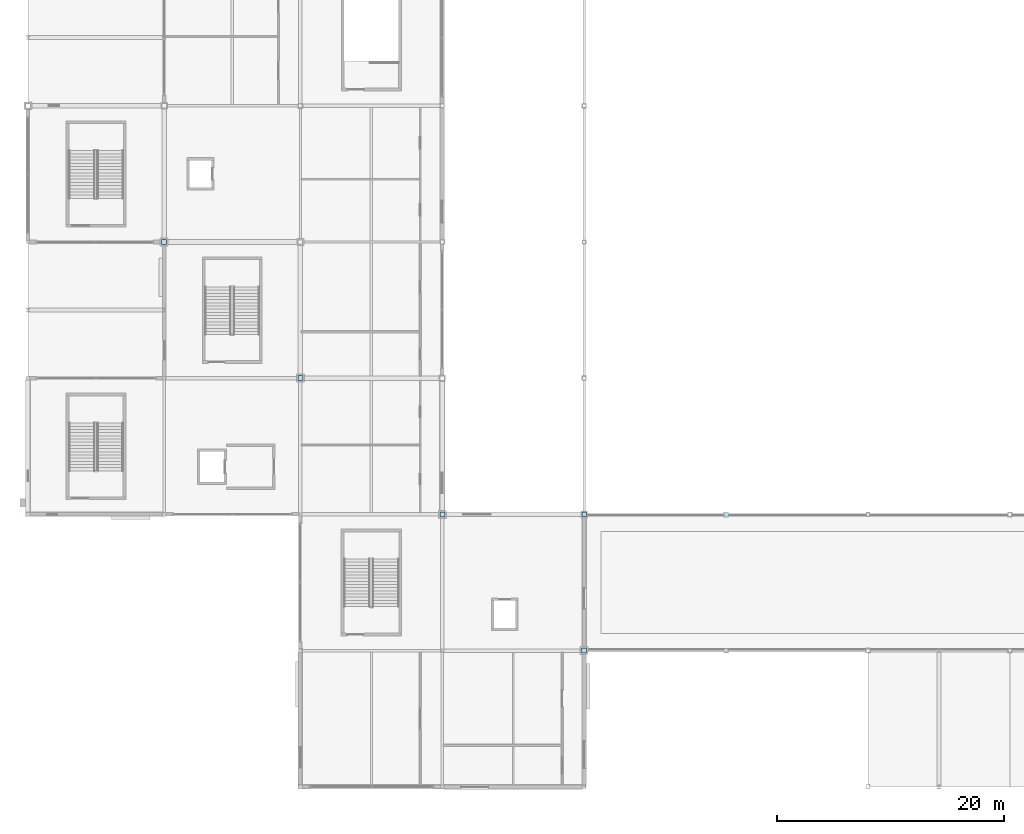
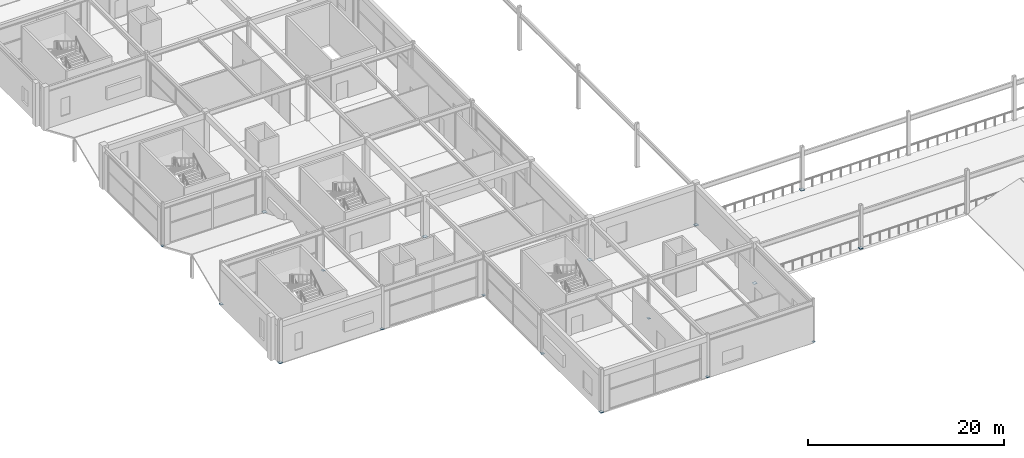
# One storey, part 61 of 105: 18 plates.
"""IFC4 building model written with IfcOpenShell, lengths in metres."""

from ifc_helpers import new_model, si_unit, direction, frame, origin, origin_2d, place, context, subcontext, project, spatial, rectangle, extrude, material, layer, layer_set, type_object, element, save


model = new_model("IFC4")

# Units and contexts
model_context = context("Model", 3, precision=1e-05, world=origin(), true_north=direction((0.0, 1.0)))
body_context = subcontext(model_context, "Body", "Model", "MODEL_VIEW")
ifc_project = project(units=[si_unit("LENGTHUNIT", "METRE"), si_unit("AREAUNIT", "SQUARE_METRE"), si_unit("VOLUMEUNIT", "CUBIC_METRE"), si_unit("PLANEANGLEUNIT", "RADIAN"), si_unit("MASSUNIT", "GRAM", prefix="KILO")], contexts=[model_context])

# Site, building, storey
site_placement = place(None, origin())
site = spatial("IfcSite", under=ifc_project, at=site_placement, CompositionType="ELEMENT")
building_placement = place(site_placement, origin())
building = spatial("IfcBuilding", under=site, at=building_placement, Name="Kazenohara Klinker Stadium", CompositionType="ELEMENT")
storey_placement = place(building_placement, frame((0.0, 0.0, 20.39990234375)))
storey = spatial("IfcBuildingStorey", under=building, at=storey_placement, Name="L04", CompositionType="ELEMENT", Elevation=20.39990234375)

# Plates
ifc_material = material(Name="Steel S355", Category="steel")
ifc_layer_1 = layer(ifc_material, 0.02001953125)
ifc_layer_set_1 = layer_set([ifc_layer_1], Name="Steel S355")
plate_type_1 = type_object("IfcPlateType", Name="PLT-GP01", PredefinedType="USERDEFINED", material=ifc_layer_set_1)
for number, where, z_axis, x_axis, name in (
    (1, (0.0, 48.0, -0.010009765625), (0.0, 0.0, 1.0), (1.0, 0.0, 0.0), "Hollow column end-cap plate GP01 L04 1/E"),
    (2, (12.0, 36.0, -0.010009765625), (0.0, 0.0, 1.0), (1.0, 0.0, 0.0), "Hollow column end-cap plate GP01 L04 2/D"),
    (3, (24.0, 24.0, -0.010009765625), (0.0, 0.0, 1.0), (1.0, 0.0, 0.0), "Hollow column end-cap plate GP01 L04 3/C"),
):
    element("IfcPlate", number, at=place(storey_placement, frame(where, z_axis=z_axis, x_axis=x_axis)), inside=storey, type_object=plate_type_1, Name=name, ObjectType="GUSSET PLATE", PredefinedType="USERDEFINED", context=body_context, shape_type="SweptSolid", body=[
        extrude(rectangle(XDim=0.340087890625, YDim=0.340087890625, at=origin_2d()), origin(), (0.0, 0.0, 1.0), 0.02001953125),
    ])
ifc_layer_2 = layer(ifc_material, 0.02197265625)
ifc_layer_set_2 = layer_set([ifc_layer_2], Name="Steel S355")
plate_type_2 = type_object("IfcPlateType", Name="PLT-GP02", PredefinedType="USERDEFINED", material=ifc_layer_set_2)
for number, where, z_axis, x_axis, name in (
    (4, (0.0, 36.0, -0.010986328125), (0.0, 0.0, 1.0), (1.0, 0.0, 0.0), "Hollow column end-cap plate GP02 L04 1/D"),
    (5, (24.0, 12.0, -0.010986328125), (0.0, 0.0, 1.0), (1.0, 0.0, 0.0), "Hollow column end-cap plate GP02 L04 3/B"),
    (6, (49.0, 36.0, -0.010986328125), (0.0, 0.0, 1.0), (1.0, 0.0, 0.0), "Hollow column end-cap plate GP02 L04 5/D"),
):
    element("IfcPlate", number, at=place(storey_placement, frame(where, z_axis=z_axis, x_axis=x_axis)), inside=storey, type_object=plate_type_2, Name=name, ObjectType="GUSSET PLATE", PredefinedType="USERDEFINED", context=body_context, shape_type="SweptSolid", body=[
        extrude(rectangle(XDim=0.389892578125, YDim=0.389892578125, at=origin_2d()), origin(), (0.0, 0.0, 1.0), 0.02197265625),
    ])
plate_1_placement = place(storey_placement, frame((61.5, 36.0, -0.010986328125), z_axis=(0.0, 0.0, 1.0), x_axis=(1.0, 0.0, 0.0)))
element("IfcPlate", 7, at=plate_1_placement, inside=storey, type_object=plate_type_2, Name="Hollow column end-cap plate GP02 L04 6/D", ObjectType="GUSSET PLATE", PredefinedType="USERDEFINED", context=body_context, shape_type="SweptSolid", body=[
    extrude(rectangle(XDim=0.43994140625, YDim=0.43994140625, at=origin_2d()), origin(), (0.0, 0.0, 1.0), 0.02197265625),
])
ifc_layer_3 = layer(ifc_material, 0.02392578125)
ifc_layer_set_3 = layer_set([ifc_layer_3], Name="Steel S355")
plate_type_3 = type_object("IfcPlateType", Name="PLT-GP03", PredefinedType="USERDEFINED", material=ifc_layer_set_3)
plate_2_placement = place(storey_placement, frame((36.5, 24.0, -0.011962890625), z_axis=(0.0, 0.0, 1.0), x_axis=(1.0, 0.0, 0.0)))
element("IfcPlate", 8, at=plate_2_placement, inside=storey, type_object=plate_type_3, Name="Hollow column end-cap plate GP03 L04 4/C", ObjectType="GUSSET PLATE", PredefinedType="USERDEFINED", context=body_context, shape_type="SweptSolid", body=[
    extrude(rectangle(XDim=0.2900390625, YDim=0.2900390625, at=origin_2d()), origin(), (0.0, 0.0, 1.0), 0.02392578125),
])
plate_3_placement = place(storey_placement, frame((36.5, 36.0, -0.011962890625), z_axis=(0.0, 0.0, 1.0), x_axis=(1.0, 0.0, 0.0)))
element("IfcPlate", 9, at=plate_3_placement, inside=storey, type_object=plate_type_3, Name="Hollow column end-cap plate GP03 L04 4/D", ObjectType="GUSSET PLATE", PredefinedType="USERDEFINED", context=body_context, shape_type="SweptSolid", body=[
    extrude(rectangle(XDim=0.43994140625, YDim=0.43994140625, at=origin_2d()), origin(), (0.0, 0.0, 1.0), 0.02392578125),
])
plate_4_placement = place(storey_placement, frame((61.5, 24.0, -0.011962890625), z_axis=(0.0, 0.0, 1.0), x_axis=(1.0, 0.0, 0.0)))
element("IfcPlate", 10, at=plate_4_placement, inside=storey, type_object=plate_type_3, Name="Hollow column end-cap plate GP03 L04 6/C", ObjectType="GUSSET PLATE", PredefinedType="USERDEFINED", context=body_context, shape_type="SweptSolid", body=[
    extrude(rectangle(XDim=0.389892578125, YDim=0.389892578125, at=origin_2d()), origin(), (0.0, 0.0, 1.0), 0.02392578125),
])
ifc_layer_4 = layer(ifc_material, 0.02490234375)
ifc_layer_set_4 = layer_set([ifc_layer_4], Name="Steel S355")
plate_type_4 = type_object("IfcPlateType", Name="PLT-GP04", PredefinedType="USERDEFINED", material=ifc_layer_set_4)
for number, where, z_axis, x_axis, name in (
    (11, (0.0, 60.0, -0.012451171875), (0.0, 0.0, 1.0), (1.0, 0.0, 0.0), "Hollow column end-cap plate GP04 L04 1/F"),
    (12, (12.0, 48.0, -0.012451171875), (0.0, 0.0, 1.0), (1.0, 0.0, 0.0), "Hollow column end-cap plate GP04 L04 2/E"),
):
    element("IfcPlate", number, at=place(storey_placement, frame(where, z_axis=z_axis, x_axis=x_axis)), inside=storey, type_object=plate_type_4, Name=name, ObjectType="GUSSET PLATE", PredefinedType="USERDEFINED", context=body_context, shape_type="SweptSolid", body=[
        extrude(rectangle(XDim=0.2900390625, YDim=0.2900390625, at=origin_2d()), origin(), (0.0, 0.0, 1.0), 0.02490234375),
    ])
plate_5_placement = place(storey_placement, frame((12.0, 60.0, -0.012451171875), z_axis=(0.0, 0.0, 1.0), x_axis=(1.0, 0.0, 0.0)))
element("IfcPlate", 13, at=plate_5_placement, inside=storey, type_object=plate_type_4, Name="Hollow column end-cap plate GP04 L04 2/F", ObjectType="GUSSET PLATE", PredefinedType="USERDEFINED", context=body_context, shape_type="SweptSolid", body=[
    extrude(rectangle(XDim=0.43994140625, YDim=0.43994140625, at=origin_2d()), origin(), (0.0, 0.0, 1.0), 0.02490234375),
])
plate_6_placement = place(storey_placement, frame((24.0, 36.0, -0.012451171875), z_axis=(0.0, 0.0, 1.0), x_axis=(1.0, 0.0, 0.0)))
element("IfcPlate", 14, at=plate_6_placement, inside=storey, type_object=plate_type_4, Name="Hollow column end-cap plate GP04 L04 3/D", ObjectType="GUSSET PLATE", PredefinedType="USERDEFINED", context=body_context, shape_type="SweptSolid", body=[
    extrude(rectangle(XDim=0.2900390625, YDim=0.2900390625, at=origin_2d()), origin(), (0.0, 0.0, 1.0), 0.02490234375),
])
plate_7_placement = place(storey_placement, frame((24.0, 48.0, -0.012451171875), z_axis=(0.0, 0.0, 1.0), x_axis=(1.0, 0.0, 0.0)))
element("IfcPlate", 15, at=plate_7_placement, inside=storey, type_object=plate_type_4, Name="Hollow column end-cap plate GP04 L04 3/E", ObjectType="GUSSET PLATE", PredefinedType="USERDEFINED", context=body_context, shape_type="SweptSolid", body=[
    extrude(rectangle(XDim=0.43994140625, YDim=0.43994140625, at=origin_2d()), origin(), (0.0, 0.0, 1.0), 0.02490234375),
])
plate_8_placement = place(storey_placement, frame((36.5, 12.0, -0.012451171875), z_axis=(0.0, 0.0, 1.0), x_axis=(1.0, 0.0, 0.0)))
element("IfcPlate", 16, at=plate_8_placement, inside=storey, type_object=plate_type_4, Name="Hollow column end-cap plate GP04 L04 4/B", ObjectType="GUSSET PLATE", PredefinedType="USERDEFINED", context=body_context, shape_type="SweptSolid", body=[
    extrude(rectangle(XDim=0.340087890625, YDim=0.340087890625, at=origin_2d()), origin(), (0.0, 0.0, 1.0), 0.02490234375),
])
plate_9_placement = place(storey_placement, frame((49.0, 12.0, -0.012451171875), z_axis=(0.0, 0.0, 1.0), x_axis=(1.0, 0.0, 0.0)))
element("IfcPlate", 17, at=plate_9_placement, inside=storey, type_object=plate_type_4, Name="Hollow column end-cap plate GP04 L04 5/B", ObjectType="GUSSET PLATE", PredefinedType="USERDEFINED", context=body_context, shape_type="SweptSolid", body=[
    extrude(rectangle(XDim=0.2900390625, YDim=0.2900390625, at=origin_2d()), origin(), (0.0, 0.0, 1.0), 0.02490234375),
])
plate_10_placement = place(storey_placement, frame((49.0, 24.0, -0.012451171875), z_axis=(0.0, 0.0, 1.0), x_axis=(1.0, 0.0, 0.0)))
element("IfcPlate", 18, at=plate_10_placement, inside=storey, type_object=plate_type_4, Name="Hollow column end-cap plate GP04 L04 5/C", ObjectType="GUSSET PLATE", PredefinedType="USERDEFINED", context=body_context, shape_type="SweptSolid", body=[
    extrude(rectangle(XDim=0.43994140625, YDim=0.43994140625, at=origin_2d()), origin(), (0.0, 0.0, 1.0), 0.02490234375),
])

save(model, "model.ifc")
